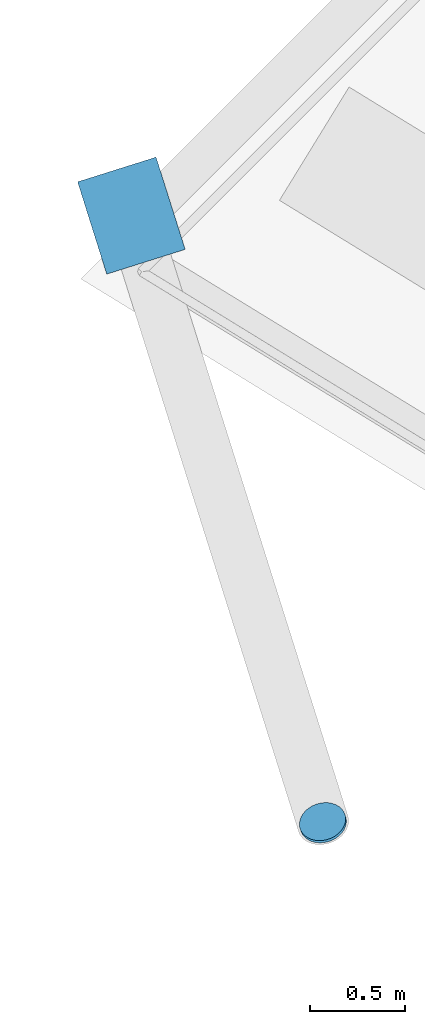
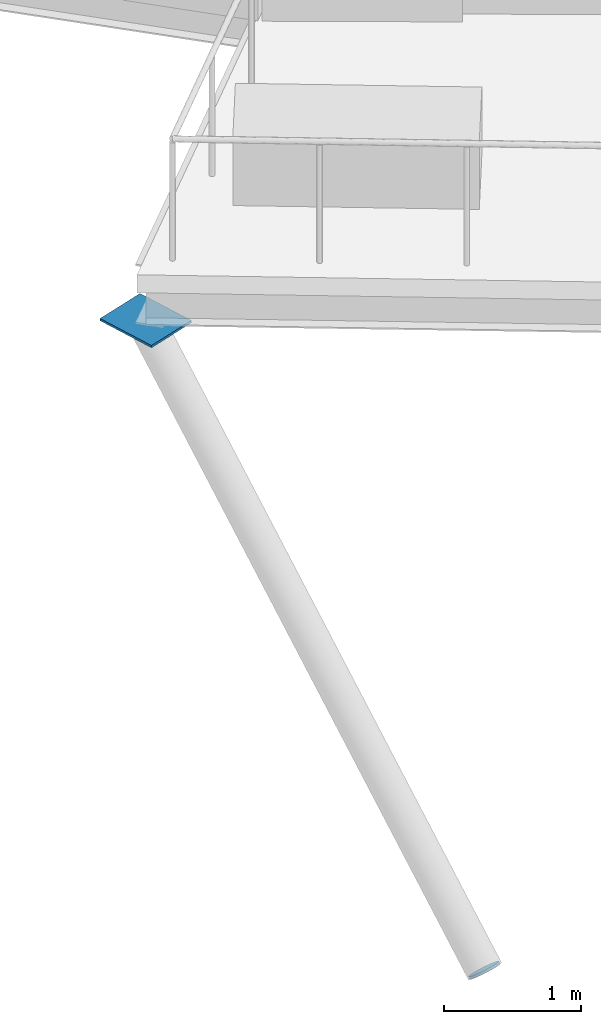
# One storey, part 32 of 40: 2 discrete accessories.
"""IFC4 building model written with IfcOpenShell, lengths in metres."""

from ifc_helpers import new_model, si_unit, direction, frame, origin, origin_2d, place, context, subcontext, project, spatial, polyline, rectangle, circle, outline, extrude, material, material_profile, profile_set, type_object, element, save


model = new_model("IFC4")

# Units and contexts
model_context = context("Model", 3, precision=1e-05, world=origin(), true_north=direction((0.0, 1.0)))
body_context = subcontext(model_context, "Body", "Model", "MODEL_VIEW")
ifc_project = project(units=[si_unit("LENGTHUNIT", "METRE"), si_unit("AREAUNIT", "SQUARE_METRE"), si_unit("VOLUMEUNIT", "CUBIC_METRE"), si_unit("PLANEANGLEUNIT", "RADIAN"), si_unit("MASSUNIT", "GRAM", prefix="KILO")], contexts=[model_context])

# Site, building, storey
site_placement = place(None, origin())
site = spatial("IfcSite", under=ifc_project, at=site_placement, CompositionType="ELEMENT")
building_placement = place(site_placement, origin())
building = spatial("IfcBuilding", under=site, at=building_placement, Name="Rimbun Link Towers", CompositionType="ELEMENT")
storey_placement = place(building_placement, frame((0.0, 0.0, 52.800048828125)))
storey = spatial("IfcBuildingStorey", under=building, at=storey_placement, Name="L12", CompositionType="ELEMENT", Elevation=52.800048828125)

# Discrete accessories
ifc_material_1 = material(Name="Steel S355J2H", Category="steel")
ifc_material_profile_1 = material_profile(ifc_material_1, circle(Radius=0.1240234375, at=origin_2d()), Name="PL D248")
ifc_profile_set_1 = profile_set([ifc_material_profile_1], Name="Steel S355J2H")
discrete_accessory_type_1 = type_object("IfcDiscreteAccessoryType", Name="Link foot sealing plate D248X20", PredefinedType="BRACKET", material=ifc_profile_set_1)
discrete_accessory_1_placement = place(storey_placement, frame((-45.842529296875, -18.223388671875, -4.89697265625), z_axis=(0.18428853505, -0.589723312161, -0.786297749547), x_axis=(0.954479978035, 0.298274993136, 0.0)))
element("IfcDiscreteAccessory", 1, at=discrete_accessory_1_placement, inside=storey, type_object=discrete_accessory_type_1, Name="Link foot sealing plate T1 L12 15", PredefinedType="BRACKET", context=body_context, shape_type="SweptSolid", body=[
    extrude(circle(Radius=0.1240234375, at=origin_2d()), origin(), (0.0, 0.0, 1.0), 0.019775390625),
])
ifc_material_2 = material(Name="Steel S355J2H", Category="steel")
ifc_material_profile_2 = material_profile(ifc_material_2, rectangle(XDim=0.43310546875, YDim=0.43310546875, at=origin_2d()), Name="PL 433x433")
ifc_profile_set_2 = profile_set([ifc_material_profile_2], Name="Steel S355J2H")
discrete_accessory_type_2 = type_object("IfcDiscreteAccessoryType", Name="Link head end plate 433X20", PredefinedType="BRACKET", material=ifc_profile_set_2)
discrete_accessory_2_placement = place(storey_placement, frame((0.0, 0.0, -0.713134765625)))
element("IfcDiscreteAccessory", 2, at=discrete_accessory_2_placement, inside=storey, type_object=discrete_accessory_type_2, Name="Link head end plate T1 L12 15", PredefinedType="BRACKET", context=body_context, shape_type="SweptSolid", body=[
    extrude(outline(polyline([(-47.132080078125, -14.854736328125), (-46.97900390625, -15.3408203125), (-46.56591796875, -15.21044921875), (-46.71923828125, -14.724609375), (-47.132080078125, -14.854736328125)])), origin(), (0.0, 0.0, 1.0), 0.02001953125),
])

save(model, "model.ifc")
